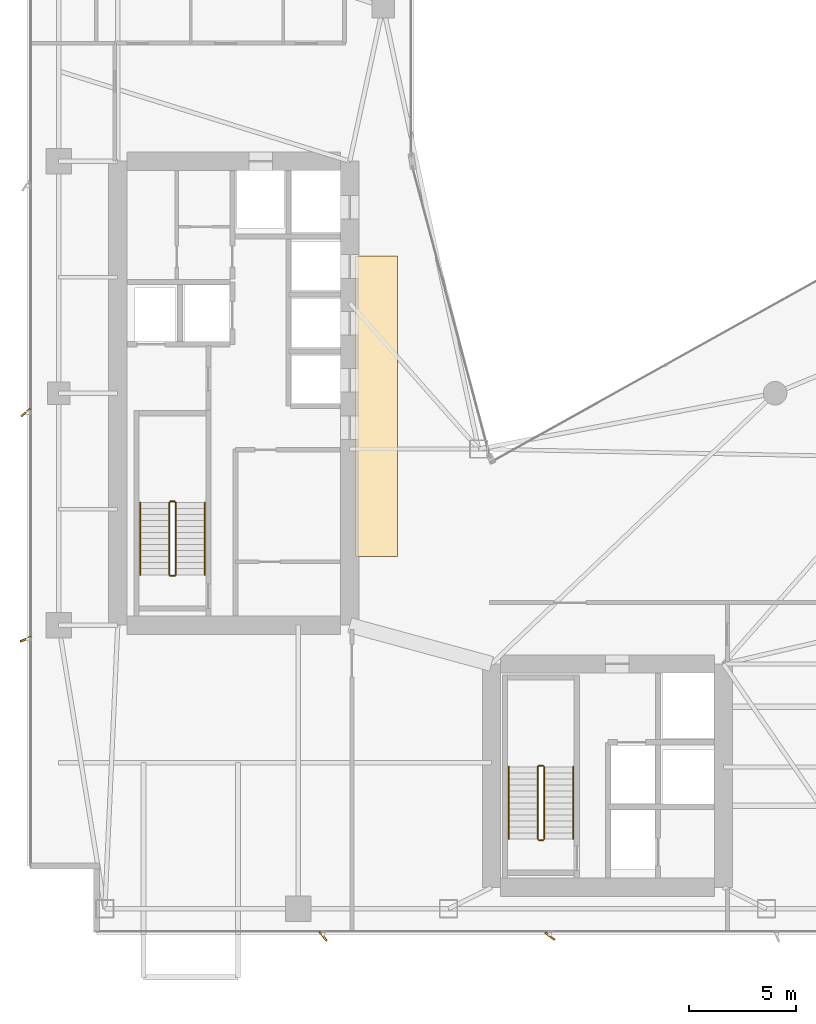
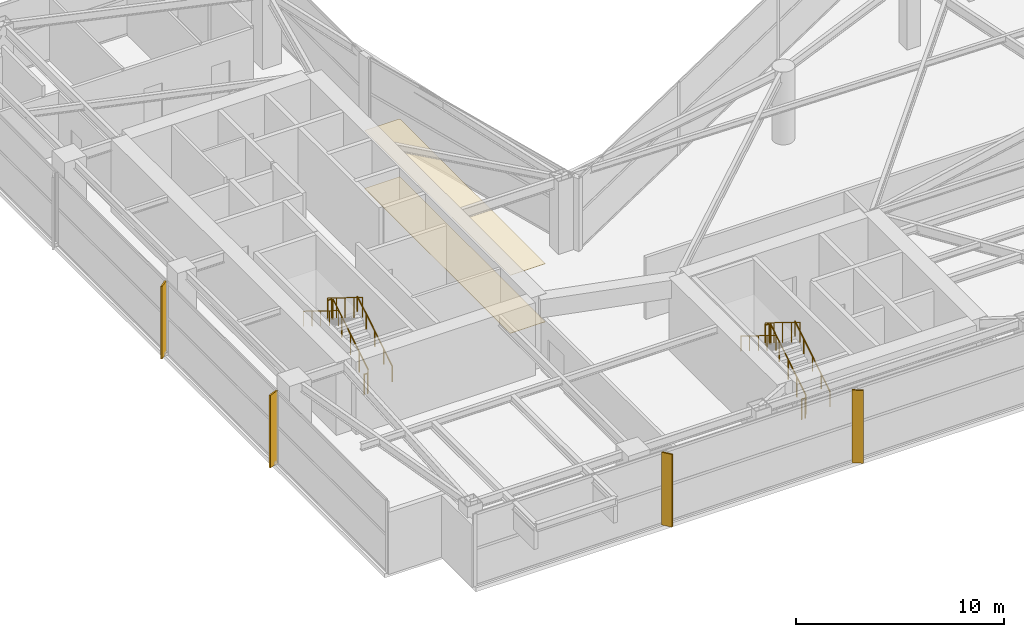
# One storey, part 25 of 26: 12 railings, 4 shading devices, 2 coverings.
"""IFC4 building model written with IfcOpenShell, lengths in metres."""

from ifc_helpers import new_model, si_unit, direction, frame, origin, origin_2d, place, context, subcontext, project, spatial, rectangle, circle, extrude, material, layer, layer_set, type_object, element, save


model = new_model("IFC4")

# Units and contexts
model_context = context("Model", 3, precision=1e-05, world=origin(), true_north=direction((0.0, 1.0)))
body_context = subcontext(model_context, "Body", "Model", "MODEL_VIEW")
ifc_project = project(units=[si_unit("LENGTHUNIT", "METRE"), si_unit("AREAUNIT", "SQUARE_METRE"), si_unit("VOLUMEUNIT", "CUBIC_METRE"), si_unit("PLANEANGLEUNIT", "RADIAN"), si_unit("MASSUNIT", "GRAM", prefix="KILO")], contexts=[model_context])

# Site, building, storey
site_placement = place(None, origin())
site = spatial("IfcSite", under=ifc_project, at=site_placement, CompositionType="ELEMENT")
building_placement = place(site_placement, origin())
building = spatial("IfcBuilding", under=site, at=building_placement, Name="Calvorn Quay Hotel", CompositionType="ELEMENT")
storey_placement = place(building_placement, frame((0.0, 0.0, 144.0)))
storey = spatial("IfcBuildingStorey", under=building, at=storey_placement, Name="L35", CompositionType="ELEMENT", Elevation=144.0)

# Coverings
ifc_material_1 = material(Name="Anodised Aluminium Acoustic Baffle", Category="aluminium")
ifc_layer_1 = layer(ifc_material_1, 0.02001953125)
ifc_layer_set_1 = layer_set([ifc_layer_1], Name="COV-CEIL-METAL")
covering_type_1 = type_object("IfcCoveringType", Name="COV-CEIL-METAL", PredefinedType="CEILING", material=ifc_layer_set_1)
covering_1_placement = place(storey_placement, frame((16.25, 27.0, 3.39990234375), z_axis=(0.0, 0.0, 1.0), x_axis=(1.0, 0.0, 0.0)))
element("IfcCovering", 1, at=covering_1_placement, inside=storey, type_object=covering_type_1, Name="Acoustic Suspended Ceiling (L35)", PredefinedType="CEILING", context=body_context, shape_type="SweptSolid", body=[
    extrude(rectangle(XDim=1.9599609375, YDim=14.0, at=origin_2d()), origin(), (0.0, 0.0, 1.0), 0.02001953125),
])
ifc_material_2 = material(Name="Honed Granite Stone Flooring", Category="masonry")
ifc_layer_2 = layer(ifc_material_2, 0.02392578125)
ifc_layer_set_2 = layer_set([ifc_layer_2], Name="COV-FLOOR-STONE")
covering_type_2 = type_object("IfcCoveringType", Name="COV-FLOOR-STONE", PredefinedType="FLOORING", material=ifc_layer_set_2)
covering_2_placement = place(storey_placement, frame((16.25, 27.0, 0.0), z_axis=(0.0, 0.0, 1.0), x_axis=(1.0, 0.0, 0.0)))
element("IfcCovering", 2, at=covering_2_placement, inside=storey, type_object=covering_type_2, Name="Interior Floor Finish (L35)", PredefinedType="FLOORING", context=body_context, shape_type="SweptSolid", body=[
    extrude(rectangle(XDim=1.9599609375, YDim=14.0, at=origin_2d()), origin(), (0.0, 0.0, 1.0), 0.02392578125),
])

# Railings
ifc_material_3 = material(Name="Brushed Stainless Steel Handrail", Category="steel")
railing_type_1 = type_object("IfcRailingType", Name="RLG-HANDRAIL-900", PredefinedType="HANDRAIL", material=ifc_material_3)
railing_1_placement = place(storey_placement, frame((8.25, 19.14990234375, 0.173095703125)))
element("IfcRailing", 3, at=railing_1_placement, inside=storey, type_object=railing_type_1, Name="L35 ST-W stair handrail 1", PredefinedType="HANDRAIL", context=body_context, shape_type="SweptSolid", body=[
    extrude(circle(Radius=0.02392578125, at=origin_2d()), frame((0.0, 0.0, 0.8759765625), z_axis=(0.0, 0.850623216509, 0.525775754039), x_axis=(-1.0, 0.0, 0.0)), (0.0, 0.0, 1.0), 3.9501953125),
    extrude(circle(Radius=0.02099609375, at=origin_2d()), origin(), (0.0, 0.0, 1.0), 0.851806640625),
    extrude(circle(Radius=0.02099609375, at=origin_2d()), frame((0.0, 0.840087890625, 0.519287109375)), (0.0, 0.0, 1.0), 0.851806640625),
    extrude(circle(Radius=0.02099609375, at=origin_2d()), frame((0.0, 1.68017578125, 1.03857421875)), (0.0, 0.0, 1.0), 0.851806640625),
    extrude(circle(Radius=0.02099609375, at=origin_2d()), frame((0.0, 2.52001953125, 1.5576171875)), (0.0, 0.0, 1.0), 0.851806640625),
    extrude(circle(Radius=0.02099609375, at=origin_2d()), frame((0.0, 3.360107421875, 2.076904296875)), (0.0, 0.0, 1.0), 0.851806640625),
])
railing_2_placement = place(storey_placement, frame((5.25, 22.510009765625, 2.423095703125)))
element("IfcRailing", 4, at=railing_2_placement, inside=storey, type_object=railing_type_1, Name="L35 ST-W stair handrail 2", PredefinedType="HANDRAIL", context=body_context, shape_type="SweptSolid", body=[
    extrude(circle(Radius=0.02392578125, at=origin_2d()), frame((0.0, 0.0, 0.8759765625), z_axis=(0.0, -0.850623216509, 0.525775754039), x_axis=(1.0, 0.0, 0.0)), (0.0, 0.0, 1.0), 3.9501953125),
    extrude(circle(Radius=0.02099609375, at=origin_2d()), origin(), (0.0, 0.0, 1.0), 0.851806640625),
    extrude(circle(Radius=0.02099609375, at=origin_2d()), frame((0.0, -0.840087890625, 0.519287109375)), (0.0, 0.0, 1.0), 0.851806640625),
    extrude(circle(Radius=0.02099609375, at=origin_2d()), frame((0.0, -1.68017578125, 1.03857421875)), (0.0, 0.0, 1.0), 0.851806640625),
    extrude(circle(Radius=0.02099609375, at=origin_2d()), frame((0.0, -2.52001953125, 1.5576171875)), (0.0, 0.0, 1.0), 0.851806640625),
    extrude(circle(Radius=0.02099609375, at=origin_2d()), frame((0.0, -3.360107421875, 2.076904296875)), (0.0, 0.0, 1.0), 0.851806640625),
])
railing_3_placement = place(storey_placement, frame((25.39990234375, 6.85009765625, 0.173095703125)))
element("IfcRailing", 5, at=railing_3_placement, inside=storey, type_object=railing_type_1, Name="L35 ST-E stair handrail 1", PredefinedType="HANDRAIL", context=body_context, shape_type="SweptSolid", body=[
    extrude(circle(Radius=0.02392578125, at=origin_2d()), frame((0.0, 0.0, 0.8759765625), z_axis=(0.0, 0.850606129759, 0.525803396734), x_axis=(-1.0, 0.0, 0.0)), (0.0, 0.0, 1.0), 3.949951171875),
    extrude(circle(Radius=0.02099609375, at=origin_2d()), origin(), (0.0, 0.0, 1.0), 0.851806640625),
    extrude(circle(Radius=0.02099609375, at=origin_2d()), frame((0.0, 0.83984375, 0.519287109375)), (0.0, 0.0, 1.0), 0.851806640625),
    extrude(circle(Radius=0.02099609375, at=origin_2d()), frame((0.0, 1.679931640625, 1.03857421875)), (0.0, 0.0, 1.0), 0.851806640625),
    extrude(circle(Radius=0.02099609375, at=origin_2d()), frame((0.0, 2.52001953125, 1.5576171875)), (0.0, 0.0, 1.0), 0.851806640625),
    extrude(circle(Radius=0.02099609375, at=origin_2d()), frame((0.0, 3.35986328125, 2.076904296875)), (0.0, 0.0, 1.0), 0.851806640625),
])
railing_4_placement = place(storey_placement, frame((22.39990234375, 10.2099609375, 2.423095703125)))
element("IfcRailing", 6, at=railing_4_placement, inside=storey, type_object=railing_type_1, Name="L35 ST-E stair handrail 2", PredefinedType="HANDRAIL", context=body_context, shape_type="SweptSolid", body=[
    extrude(circle(Radius=0.02392578125, at=origin_2d()), frame((0.0, 0.0, 0.8759765625), z_axis=(0.0, -0.850606129759, 0.525803396734), x_axis=(1.0, 0.0, 0.0)), (0.0, 0.0, 1.0), 3.949951171875),
    extrude(circle(Radius=0.02099609375, at=origin_2d()), origin(), (0.0, 0.0, 1.0), 0.851806640625),
    extrude(circle(Radius=0.02099609375, at=origin_2d()), frame((0.0, -0.83984375, 0.519287109375)), (0.0, 0.0, 1.0), 0.851806640625),
    extrude(circle(Radius=0.02099609375, at=origin_2d()), frame((0.0, -1.679931640625, 1.03857421875)), (0.0, 0.0, 1.0), 0.851806640625),
    extrude(circle(Radius=0.02099609375, at=origin_2d()), frame((0.0, -2.52001953125, 1.5576171875)), (0.0, 0.0, 1.0), 0.851806640625),
    extrude(circle(Radius=0.02099609375, at=origin_2d()), frame((0.0, -3.35986328125, 2.076904296875)), (0.0, 0.0, 1.0), 0.851806640625),
])
ifc_material_4 = material(Name="Painted Galvanised Steel Balustrade", Category="steel")
railing_type_2 = type_object("IfcRailingType", Name="RLG-STAIR-GUARD-1120", PredefinedType="GUARDRAIL", material=ifc_material_4)
railing_5_placement = place(storey_placement, frame((6.89990234375, 19.14990234375, 0.173095703125)))
element("IfcRailing", 7, at=railing_5_placement, inside=storey, type_object=railing_type_2, Name="L35 ST-W stair guard 1", PredefinedType="GUARDRAIL", context=body_context, shape_type="SweptSolid", body=[
    extrude(circle(Radius=0.02392578125, at=origin_2d()), frame((0.0, 0.0, 1.17578125), z_axis=(0.0, 0.850623216509, 0.525775754039), x_axis=(-1.0, 0.0, 0.0)), (0.0, 0.0, 1.0), 3.9501953125),
    extrude(circle(Radius=0.02099609375, at=origin_2d()), origin(), (0.0, 0.0, 1.0), 1.15185546875),
    extrude(circle(Radius=0.02099609375, at=origin_2d()), frame((0.0, 0.840087890625, 0.519287109375)), (0.0, 0.0, 1.0), 1.15185546875),
    extrude(circle(Radius=0.02099609375, at=origin_2d()), frame((0.0, 1.68017578125, 1.03857421875)), (0.0, 0.0, 1.0), 1.15185546875),
    extrude(circle(Radius=0.02099609375, at=origin_2d()), frame((0.0, 2.52001953125, 1.5576171875)), (0.0, 0.0, 1.0), 1.15185546875),
    extrude(circle(Radius=0.02099609375, at=origin_2d()), frame((0.0, 3.360107421875, 2.076904296875)), (0.0, 0.0, 1.0), 1.15185546875),
])
railing_6_placement = place(storey_placement, frame((6.85009765625, 22.56005859375, 2.25)))
element("IfcRailing", 8, at=railing_6_placement, inside=storey, type_object=railing_type_2, Name="L35 ST-W stair guard 2", PredefinedType="GUARDRAIL", context=body_context, shape_type="SweptSolid", body=[
    extrude(circle(Radius=0.02392578125, at=origin_2d()), frame((0.0, 0.0, 1.17578125), z_axis=(-1.0, 0.0, 0.0), x_axis=(0.0, -1.0, 0.0)), (0.0, 0.0, 1.0), 0.2001953125),
    extrude(circle(Radius=0.02099609375, at=origin_2d()), origin(), (0.0, 0.0, 1.0), 1.15185546875),
    extrude(circle(Radius=0.02099609375, at=origin_2d()), frame((-0.2001953125, 0.0, 0.0)), (0.0, 0.0, 1.0), 1.15185546875),
])
railing_7_placement = place(storey_placement, frame((6.60009765625, 22.510009765625, 2.423095703125)))
element("IfcRailing", 9, at=railing_7_placement, inside=storey, type_object=railing_type_2, Name="L35 ST-W stair guard 3", PredefinedType="GUARDRAIL", context=body_context, shape_type="SweptSolid", body=[
    extrude(circle(Radius=0.02392578125, at=origin_2d()), frame((0.0, 0.0, 1.17578125), z_axis=(0.0, -0.850623216509, 0.525775754039), x_axis=(1.0, 0.0, 0.0)), (0.0, 0.0, 1.0), 3.9501953125),
    extrude(circle(Radius=0.02099609375, at=origin_2d()), origin(), (0.0, 0.0, 1.0), 1.15185546875),
    extrude(circle(Radius=0.02099609375, at=origin_2d()), frame((0.0, -0.840087890625, 0.519287109375)), (0.0, 0.0, 1.0), 1.15185546875),
    extrude(circle(Radius=0.02099609375, at=origin_2d()), frame((0.0, -1.68017578125, 1.03857421875)), (0.0, 0.0, 1.0), 1.15185546875),
    extrude(circle(Radius=0.02099609375, at=origin_2d()), frame((0.0, -2.52001953125, 1.5576171875)), (0.0, 0.0, 1.0), 1.15185546875),
    extrude(circle(Radius=0.02099609375, at=origin_2d()), frame((0.0, -3.360107421875, 2.076904296875)), (0.0, 0.0, 1.0), 1.15185546875),
])
railing_8_placement = place(storey_placement, frame((6.85009765625, 19.10009765625, 0.0)))
element("IfcRailing", 10, at=railing_8_placement, inside=storey, type_object=railing_type_2, Name="L35 ST-W stair guard 4", PredefinedType="GUARDRAIL", context=body_context, shape_type="SweptSolid", body=[
    extrude(circle(Radius=0.02392578125, at=origin_2d()), frame((0.0, 0.0, 1.17578125), z_axis=(-1.0, 0.0, 0.0), x_axis=(0.0, -1.0, 0.0)), (0.0, 0.0, 1.0), 0.2001953125),
    extrude(circle(Radius=0.02099609375, at=origin_2d()), origin(), (0.0, 0.0, 1.0), 1.15185546875),
    extrude(circle(Radius=0.02099609375, at=origin_2d()), frame((-0.2001953125, 0.0, 0.0)), (0.0, 0.0, 1.0), 1.15185546875),
])
railing_9_placement = place(storey_placement, frame((24.050048828125, 6.85009765625, 0.173095703125)))
element("IfcRailing", 11, at=railing_9_placement, inside=storey, type_object=railing_type_2, Name="L35 ST-E stair guard 1", PredefinedType="GUARDRAIL", context=body_context, shape_type="SweptSolid", body=[
    extrude(circle(Radius=0.02392578125, at=origin_2d()), frame((0.0, 0.0, 1.17578125), z_axis=(0.0, 0.850606129759, 0.525803396734), x_axis=(-1.0, 0.0, 0.0)), (0.0, 0.0, 1.0), 3.949951171875),
    extrude(circle(Radius=0.02099609375, at=origin_2d()), origin(), (0.0, 0.0, 1.0), 1.15185546875),
    extrude(circle(Radius=0.02099609375, at=origin_2d()), frame((0.0, 0.83984375, 0.519287109375)), (0.0, 0.0, 1.0), 1.15185546875),
    extrude(circle(Radius=0.02099609375, at=origin_2d()), frame((0.0, 1.679931640625, 1.03857421875)), (0.0, 0.0, 1.0), 1.15185546875),
    extrude(circle(Radius=0.02099609375, at=origin_2d()), frame((0.0, 2.52001953125, 1.5576171875)), (0.0, 0.0, 1.0), 1.15185546875),
    extrude(circle(Radius=0.02099609375, at=origin_2d()), frame((0.0, 3.35986328125, 2.076904296875)), (0.0, 0.0, 1.0), 1.15185546875),
])
railing_10_placement = place(storey_placement, frame((24.0, 10.260009765625, 2.25)))
element("IfcRailing", 12, at=railing_10_placement, inside=storey, type_object=railing_type_2, Name="L35 ST-E stair guard 2", PredefinedType="GUARDRAIL", context=body_context, shape_type="SweptSolid", body=[
    extrude(circle(Radius=0.02392578125, at=origin_2d()), frame((0.0, 0.0, 1.17578125), z_axis=(-1.0, 0.0, 0.0), x_axis=(0.0, -1.0, 0.0)), (0.0, 0.0, 1.0), 0.199951171875),
    extrude(circle(Radius=0.02099609375, at=origin_2d()), origin(), (0.0, 0.0, 1.0), 1.15185546875),
    extrude(circle(Radius=0.02099609375, at=origin_2d()), frame((-0.199951171875, 0.0, 0.0)), (0.0, 0.0, 1.0), 1.15185546875),
])
railing_11_placement = place(storey_placement, frame((23.75, 10.2099609375, 2.423095703125)))
element("IfcRailing", 13, at=railing_11_placement, inside=storey, type_object=railing_type_2, Name="L35 ST-E stair guard 3", PredefinedType="GUARDRAIL", context=body_context, shape_type="SweptSolid", body=[
    extrude(circle(Radius=0.02392578125, at=origin_2d()), frame((0.0, 0.0, 1.17578125), z_axis=(0.0, -0.850606129759, 0.525803396734), x_axis=(1.0, 0.0, 0.0)), (0.0, 0.0, 1.0), 3.949951171875),
    extrude(circle(Radius=0.02099609375, at=origin_2d()), origin(), (0.0, 0.0, 1.0), 1.15185546875),
    extrude(circle(Radius=0.02099609375, at=origin_2d()), frame((0.0, -0.83984375, 0.519287109375)), (0.0, 0.0, 1.0), 1.15185546875),
    extrude(circle(Radius=0.02099609375, at=origin_2d()), frame((0.0, -1.679931640625, 1.03857421875)), (0.0, 0.0, 1.0), 1.15185546875),
    extrude(circle(Radius=0.02099609375, at=origin_2d()), frame((0.0, -2.52001953125, 1.5576171875)), (0.0, 0.0, 1.0), 1.15185546875),
    extrude(circle(Radius=0.02099609375, at=origin_2d()), frame((0.0, -3.35986328125, 2.076904296875)), (0.0, 0.0, 1.0), 1.15185546875),
])
railing_12_placement = place(storey_placement, frame((24.0, 6.800048828125, 0.0)))
element("IfcRailing", 14, at=railing_12_placement, inside=storey, type_object=railing_type_2, Name="L35 ST-E stair guard 4", PredefinedType="GUARDRAIL", context=body_context, shape_type="SweptSolid", body=[
    extrude(circle(Radius=0.02392578125, at=origin_2d()), frame((0.0, 0.0, 1.17578125), z_axis=(-1.0, 0.0, 0.0), x_axis=(0.0, -1.0, 0.0)), (0.0, 0.0, 1.0), 0.199951171875),
    extrude(circle(Radius=0.02099609375, at=origin_2d()), origin(), (0.0, 0.0, 1.0), 1.15185546875),
    extrude(circle(Radius=0.02099609375, at=origin_2d()), frame((-0.199951171875, 0.0, 0.0)), (0.0, 0.0, 1.0), 1.15185546875),
])

# Shading devices
ifc_material_5 = material(Name="Champagne Bronze Anodised Aluminium 6063-T6", Category="aluminium")
shading_device_type_1 = type_object("IfcShadingDeviceType", Name="SHD-FIN-A1", PredefinedType="USERDEFINED", material=ifc_material_5)
shading_device_1_placement = place(storey_placement, frame((-0.080078125, 16.14990234375, 0.0), z_axis=(0.0, 0.0, 1.0), x_axis=(0.927183854567, 0.374606593416, 0.0)))
element("IfcShadingDevice", 15, at=shading_device_1_placement, inside=storey, type_object=shading_device_type_1, Name="Diagonal Sun-Shading Fin L35-W01", ObjectType="FIN", PredefinedType="USERDEFINED", context=body_context, shape_type="SweptSolid", body=[
    extrude(rectangle(XDim=0.550048828125, YDim=0.080078125, at=origin_2d()), origin(), (0.0, 0.0, 1.0), 4.260009765625),
])
ifc_material_6 = material(Name="Champagne Bronze Anodised Aluminium 6063-T6", Category="aluminium")
shading_device_type_2 = type_object("IfcShadingDeviceType", Name="SHD-FIN-A2", PredefinedType="USERDEFINED", material=ifc_material_6)
for number, where, z_axis, x_axis, name in (
    (16, (-0.080078125, 26.699951171875, 0.0), (0.0, 0.0, 1.0), (0.788010753607, 0.615661475326, 0.0), "Diagonal Sun-Shading Fin L35-W02"),
    (17, (13.760009765625, 2.320068359375, 0.0), (0.0, 0.0, 1.0), (-0.615661475326, 0.788010753607, 0.0), "Diagonal Sun-Shading Fin L35-S01"),
):
    element("IfcShadingDevice", number, at=place(storey_placement, frame(where, z_axis=z_axis, x_axis=x_axis)), inside=storey, type_object=shading_device_type_2, Name=name, ObjectType="FIN", PredefinedType="USERDEFINED", context=body_context, shape_type="SweptSolid", body=[
        extrude(rectangle(XDim=0.550048828125, YDim=0.080078125, at=origin_2d()), origin(), (0.0, 0.0, 1.0), 4.260009765625),
    ])
ifc_material_7 = material(Name="Champagne Bronze Anodised Aluminium 6063-T6", Category="aluminium")
shading_device_type_3 = type_object("IfcShadingDeviceType", Name="SHD-FIN-A3", PredefinedType="USERDEFINED", material=ifc_material_7)
shading_device_2_placement = place(storey_placement, frame((24.320068359375, 2.320068359375, 0.0), z_axis=(0.0, 0.0, 1.0), x_axis=(-0.809016994375, 0.587785252292, 0.0)))
element("IfcShadingDevice", 18, at=shading_device_2_placement, inside=storey, type_object=shading_device_type_3, Name="Diagonal Sun-Shading Fin L35-S02", ObjectType="FIN", PredefinedType="USERDEFINED", context=body_context, shape_type="SweptSolid", body=[
    extrude(rectangle(XDim=0.550048828125, YDim=0.080078125, at=origin_2d()), origin(), (0.0, 0.0, 1.0), 4.260009765625),
])

save(model, "model.ifc")
